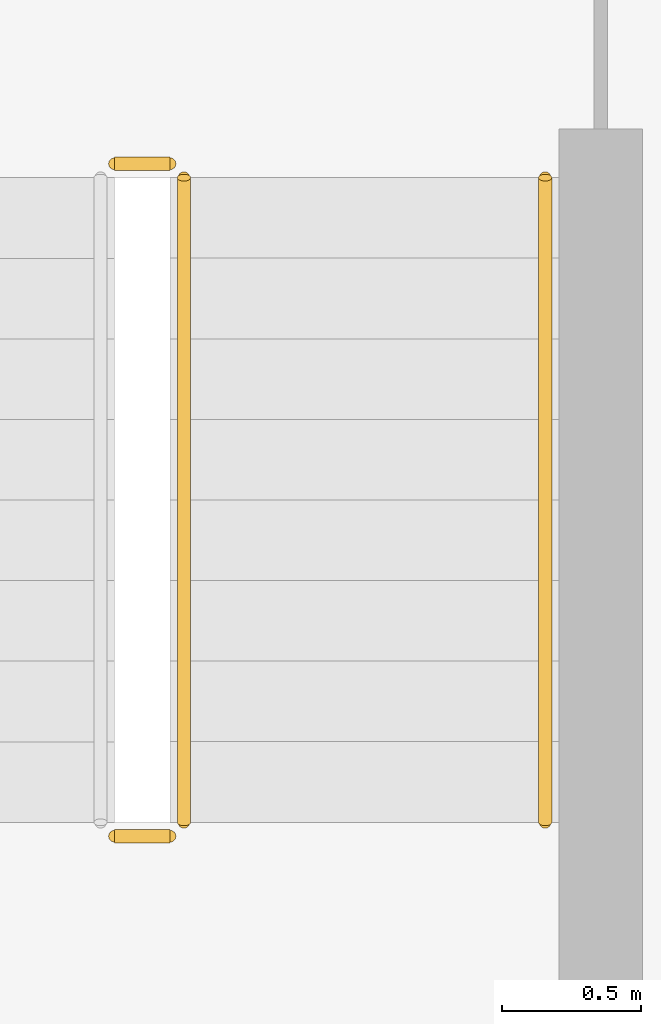
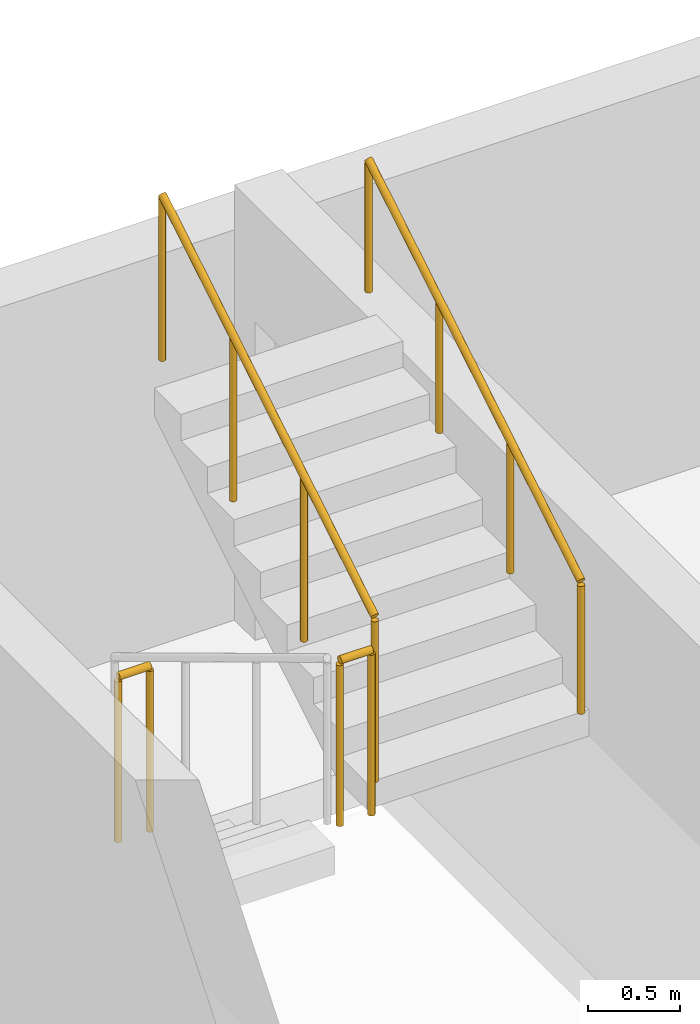
# One storey, part 14 of 16: 4 railings.
"""IFC4 building model written with IfcOpenShell, lengths in metres."""

import ifcopenshell
import ifcopenshell.guid

model = None  # the IFC model being written
_history = None  # IfcOwnerHistory: only IFC2X3 demands one
_inside = {}  # id of a spatial element -> (the spatial element, [elements in it])
_under = {}  # id of a project, library or spatial element -> (it, [spatial elements below it])
_declared = {}  # id of a project -> (the project, [libraries it declares])
_typed = {}  # id of a type object -> (the type object, [elements of that type])
_made_of = {}  # id of a material, layer set ... -> (it, [elements and type objects made of it])


def new_model(schema):
    """Start an empty IFC model of exactly this schema.

    Asked for "IFC4X3", IfcOpenShell would pick the latest addendum, in which some entities
    have other attributes; the version numbers below select the first issue.
    IFC2X3 requires an IfcOwnerHistory on every rooted entity: one is made here for all.
    """
    global model, _history
    if schema == "IFC4X3":
        model = ifcopenshell.file(schema_version=(4, 3, 0, 0))
    else:
        model = ifcopenshell.file(schema=schema)
    _inside.clear()
    _under.clear()
    _declared.clear()
    _typed.clear()
    _made_of.clear()
    _history = None
    if model.schema == "IFC2X3":
        org = make("IfcOrganization", Name="unknown")
        user = make(
            "IfcPersonAndOrganization",
            ThePerson=make("IfcPerson", FamilyName="unknown"),
            TheOrganization=org,
        )
        app = make(
            "IfcApplication",
            ApplicationDeveloper=org,
            Version="unknown",
            ApplicationFullName="unknown",
            ApplicationIdentifier="unknown",
        )
        _history = make(
            "IfcOwnerHistory",
            OwningUser=user,
            OwningApplication=app,
            ChangeAction="ADDED",
            CreationDate=0,
        )
    return model


def make(cls, **values):
    """One entity of the class cls with the attributes given. An attribute that is None is left unset."""
    return model.create_entity(
        cls, **{name: value for name, value in values.items() if value is not None}
    )


def rooted(cls, **values):
    """An entity with a GlobalId (a new one), such as an element, a storey or a relation."""
    return make(cls, GlobalId=ifcopenshell.guid.new(), OwnerHistory=_history, **values)


def si_unit(unit_type, name, prefix=None):
    """IfcSIUnit, for example si_unit("LENGTHUNIT", "METRE", prefix="MILLI")."""
    return make("IfcSIUnit", UnitType=unit_type, Prefix=prefix, Name=name)


def derived_unit(unit_type, elements):
    """IfcDerivedUnit: a product of units, each with its exponent."""
    return make(
        "IfcDerivedUnit",
        Elements=[
            make("IfcDerivedUnitElement", Unit=unit, Exponent=power)
            for unit, power in elements
        ],
        UnitType=unit_type,
    )


def assignment(units):
    """IfcUnitAssignment: the units of a project."""
    return None if units is None else make("IfcUnitAssignment", Units=units)


def point(xyz):
    """IfcCartesianPoint."""
    return None if xyz is None else make("IfcCartesianPoint", Coordinates=xyz)


def direction(xyz):
    """IfcDirection."""
    return None if xyz is None else make("IfcDirection", DirectionRatios=xyz)


def frame(location, z_axis=None, x_axis=None):
    """IfcAxis2Placement3D, a coordinate frame: its origin and axes. An axis left out is left unset."""
    return make(
        "IfcAxis2Placement3D",
        Location=point(location),
        Axis=direction(z_axis),
        RefDirection=direction(x_axis),
    )


def frame_2d(location, x_axis=None):
    """IfcAxis2Placement2D, a coordinate frame in the plane: its origin and x axis."""
    return make(
        "IfcAxis2Placement2D", Location=point(location), RefDirection=direction(x_axis)
    )


def origin():
    """The frame at (0, 0, 0) with its axes left unset."""
    return frame((0.0, 0.0, 0.0))


def origin_2d():
    """The frame at (0, 0) in the plane with its x axis left unset."""
    return frame_2d((0.0, 0.0))


def place(relative_to, where):
    """IfcLocalPlacement: puts the frame where relative to a parent placement (None: the world)."""
    return make(
        "IfcLocalPlacement", PlacementRelTo=relative_to, RelativePlacement=where
    )


def context(
    kind, dimensions, precision=None, world=None, true_north=None, identifier=None
):
    """IfcGeometricRepresentationContext, for example the 3D "Model" context."""
    return make(
        "IfcGeometricRepresentationContext",
        ContextIdentifier=identifier,
        ContextType=kind,
        CoordinateSpaceDimension=dimensions,
        Precision=precision,
        WorldCoordinateSystem=world,
        TrueNorth=true_north,
    )


def subcontext(parent, identifier, kind, view, scale=None):
    """IfcGeometricRepresentationSubContext, for example "Body" below "Model"."""
    return make(
        "IfcGeometricRepresentationSubContext",
        ContextIdentifier=identifier,
        ContextType=kind,
        ParentContext=parent,
        TargetScale=scale,
        TargetView=view,
    )


def project(units=None, contexts=None):
    """IfcProject with its units and contexts."""
    return rooted(
        "IfcProject",
        Name="project",
        RepresentationContexts=contexts,
        UnitsInContext=assignment(units),
    )


def spatial(cls, under=None, at=None, **own):
    """A site, building, storey or space (cls), placed at a placement, below another one or the project."""
    s = rooted(cls, ObjectPlacement=at, **own)
    if under is not None:
        _under.setdefault(under.id(), (under, []))[1].append(s)
    return s


def profile(cls, at=None, kind="AREA", **sizes):
    """A parametric profile (cls). Its sizes go by their IFC names, for example OverallWidth=200.0."""
    return make(cls, ProfileType=kind, Position=at, **sizes)


def circle(**sizes):
    """IfcCircleProfileDef."""
    return profile("IfcCircleProfileDef", **sizes)


def extrude(swept, where, along, depth):
    """IfcExtrudedAreaSolid: the profile swept, set in the frame where, extruded along a direction by depth."""
    return make(
        "IfcExtrudedAreaSolid",
        SweptArea=swept,
        Position=where,
        ExtrudedDirection=direction(along),
        Depth=depth,
    )


def shape(context_of_items, identifier, shape_type, items):
    """IfcShapeRepresentation: the items that make up one representation, for example the "Body"."""
    return make(
        "IfcShapeRepresentation",
        ContextOfItems=context_of_items,
        RepresentationIdentifier=identifier,
        RepresentationType=shape_type,
        Items=items,
    )


def material(Name=None, Category=None):
    """IfcMaterial."""
    return make("IfcMaterial", Name=Name, Category=Category)


def made_of(thing, what):
    """Note that an element or type object is made of a material, layer set ...; save() writes the relation."""
    if what is not None:
        _made_of.setdefault(what.id(), (what, []))[1].append(thing)
    return thing


def type_object(cls, material=None, **own):
    """A type object (cls), such as IfcWallType, which elements share."""
    return made_of(rooted(cls, **own), material)


def element(
    cls,
    number,
    at=None,
    inside=None,
    cuts=None,
    type_object=None,
    material=None,
    context=None,
    identifier="Body",
    shape_type=None,
    held_by="IfcProductDefinitionShape",
    body=None,
    shapes=None,
    **own,
):
    """One element of the class cls, such as IfcWall. Its Tag is "e" and its number.

    at: its placement. inside: the storey or other place that contains it. cuts: it is an
    opening in that element (IfcRelVoidsElement). A single representation is given by context,
    identifier, shape_type and body (its items); several are given by shapes. held_by: the class
    of the entity that holds the representations. save() writes the other relations.
    """
    e = rooted(cls, Tag="e%d" % number, ObjectPlacement=at, **own)
    if body is not None:
        shapes = [shape(context, identifier, shape_type, body)]
    if shapes is not None:
        e.Representation = make(held_by, Representations=shapes)
    if inside is not None:
        _inside.setdefault(inside.id(), (inside, []))[1].append(e)
    if cuts is not None:
        rooted(
            "IfcRelVoidsElement", RelatingBuildingElement=cuts, RelatedOpeningElement=e
        )
    if type_object is not None:
        _typed.setdefault(type_object.id(), (type_object, []))[1].append(e)
    return made_of(e, material)


def aggregate(whole, parts):
    """IfcRelAggregates: a whole, such as a stair, and the parts it consists of."""
    return rooted("IfcRelAggregates", RelatingObject=whole, RelatedObjects=parts)


def save(model, path):
    """Write the relations noted so far, then the file.

    IfcRelAggregates (storeys below a building ...), IfcRelContainedInSpatialStructure (elements
    in a storey), IfcRelDefinesByType, IfcRelAssociatesMaterial and IfcRelDeclares: one each for
    every whole, place, type object, material and project.
    """
    for whole, parts in _under.values():
        aggregate(whole, parts)
    for where, things in _inside.values():
        rooted(
            "IfcRelContainedInSpatialStructure",
            RelatedElements=things,
            RelatingStructure=where,
        )
    for kind, things in _typed.values():
        rooted("IfcRelDefinesByType", RelatedObjects=things, RelatingType=kind)
    for what, things in _made_of.values():
        rooted("IfcRelAssociatesMaterial", RelatedObjects=things, RelatingMaterial=what)
    for by, libraries in _declared.values():
        rooted("IfcRelDeclares", RelatingContext=by, RelatedDefinitions=libraries)
    model.write(path)


model = new_model("IFC4")

# Units and contexts
model_context = context("Model", 3, precision=1e-05, world=origin(), true_north=direction((0.0, 1.0)))
body_context = subcontext(model_context, "Body", "Model", "MODEL_VIEW")
ifc_project = project(units=[si_unit("LENGTHUNIT", "METRE"), si_unit("AREAUNIT", "SQUARE_METRE"), si_unit("VOLUMEUNIT", "CUBIC_METRE"), si_unit("PLANEANGLEUNIT", "RADIAN"), si_unit("MASSUNIT", "GRAM", prefix="KILO"), derived_unit("THERMALTRANSMITTANCEUNIT", [(si_unit("MASSUNIT", "GRAM", prefix="KILO"), 1), (si_unit("TIMEUNIT", "SECOND"), -3), (si_unit("THERMODYNAMICTEMPERATUREUNIT", "KELVIN"), -1)])], contexts=[model_context])

# Site, building, storey
site_placement = place(None, origin())
site = spatial("IfcSite", under=ifc_project, at=site_placement, CompositionType="ELEMENT")
building_placement = place(site_placement, origin())
building = spatial("IfcBuilding", under=site, at=building_placement, Name="Ochrekiln Boulevard Commons", CompositionType="ELEMENT")
storey_placement = place(building_placement, frame((0.0, 0.0, 43.574951171875)))
storey = spatial("IfcBuildingStorey", under=building, at=storey_placement, Name="L13", CompositionType="ELEMENT", Elevation=43.574951171875)

# Railings
ifc_material = material(Name="Brushed stainless steel 316 tubular railing", Category="steel")
railing_type_1 = type_object("IfcRailingType", Name="RLG-HDR-900", PredefinedType="HANDRAIL", material=ifc_material)
railing_1_placement = place(storey_placement, frame((9.35009765625, 114.610107421875, 1.75)))
element("IfcRailing", 1, at=railing_1_placement, inside=storey, type_object=railing_type_1, Name="L13 ST-A2 stair handrail 2", PredefinedType="HANDRAIL", context=body_context, shape_type="SweptSolid", body=[
    extrude(circle(Radius=0.02392578125, at=origin_2d()), frame((0.0, 0.0, 0.8759765625), z_axis=(0.0, 0.856146426353, 0.516733293531), x_axis=(-1.0, 0.0, 0.0)), (0.0, 0.0, 1.0), 2.709716796875),
    extrude(circle(Radius=0.02099609375, at=origin_2d()), origin(), (0.0, 0.0, 1.0), 0.851806640625),
    extrude(circle(Radius=0.02099609375, at=origin_2d()), frame((0.0, 0.773193359375, 0.466796875)), (0.0, 0.0, 1.0), 0.851806640625),
    extrude(circle(Radius=0.02099609375, at=origin_2d()), frame((0.0, 1.546630859375, 0.933349609375)), (0.0, 0.0, 1.0), 0.851806640625),
    extrude(circle(Radius=0.02099609375, at=origin_2d()), frame((0.0, 2.31982421875, 1.400146484375)), (0.0, 0.0, 1.0), 0.851806640625),
])
railing_type_2 = type_object("IfcRailingType", Name="RLG-STR-1120", PredefinedType="BALUSTRADE", material=ifc_material)
railing_2_placement = place(storey_placement, frame((7.800048828125, 114.56005859375, 1.574951171875)))
element("IfcRailing", 2, at=railing_2_placement, inside=storey, type_object=railing_type_2, Name="L13 ST-A2 stair guard 2", PredefinedType="BALUSTRADE", context=body_context, shape_type="SweptSolid", body=[
    extrude(circle(Radius=0.02392578125, at=origin_2d()), frame((0.0, 0.0, 1.09619140625), z_axis=(1.0, 0.0, 0.0), x_axis=(0.0, 1.0, 0.0)), (0.0, 0.0, 1.0), 0.199951171875),
    extrude(circle(Radius=0.02099609375, at=origin_2d()), origin(), (0.0, 0.0, 1.0), 1.072021484375),
    extrude(circle(Radius=0.02099609375, at=origin_2d()), frame((0.199951171875, 0.0, 0.0)), (0.0, 0.0, 1.0), 1.072021484375),
])
railing_3_placement = place(storey_placement, frame((8.050048828125, 114.610107421875, 1.75)))
element("IfcRailing", 3, at=railing_3_placement, inside=storey, type_object=railing_type_2, Name="L13 ST-A2 stair guard 3", PredefinedType="BALUSTRADE", context=body_context, shape_type="SweptSolid", body=[
    extrude(circle(Radius=0.02392578125, at=origin_2d()), frame((0.0, 0.0, 1.09619140625), z_axis=(0.0, 0.856146426353, 0.516733293531), x_axis=(-1.0, 0.0, 0.0)), (0.0, 0.0, 1.0), 2.709716796875),
    extrude(circle(Radius=0.02099609375, at=origin_2d()), origin(), (0.0, 0.0, 1.0), 1.072021484375),
    extrude(circle(Radius=0.02099609375, at=origin_2d()), frame((0.0, 0.773193359375, 0.466796875)), (0.0, 0.0, 1.0), 1.072021484375),
    extrude(circle(Radius=0.02099609375, at=origin_2d()), frame((0.0, 1.546630859375, 0.933349609375)), (0.0, 0.0, 1.0), 1.072021484375),
    extrude(circle(Radius=0.02099609375, at=origin_2d()), frame((0.0, 2.31982421875, 1.400146484375)), (0.0, 0.0, 1.0), 1.072021484375),
])
railing_4_placement = place(storey_placement, frame((7.800048828125, 116.97998046875, 0.0)))
element("IfcRailing", 4, at=railing_4_placement, inside=storey, type_object=railing_type_2, Name="L13 ST-A2 stair guard 4", PredefinedType="BALUSTRADE", context=body_context, shape_type="SweptSolid", body=[
    extrude(circle(Radius=0.02392578125, at=origin_2d()), frame((0.0, 0.0, 1.09619140625), z_axis=(1.0, 0.0, 0.0), x_axis=(0.0, 1.0, 0.0)), (0.0, 0.0, 1.0), 0.199951171875),
    extrude(circle(Radius=0.02099609375, at=origin_2d()), origin(), (0.0, 0.0, 1.0), 1.072021484375),
    extrude(circle(Radius=0.02099609375, at=origin_2d()), frame((0.199951171875, 0.0, 0.0)), (0.0, 0.0, 1.0), 1.072021484375),
])

save(model, "model.ifc")
